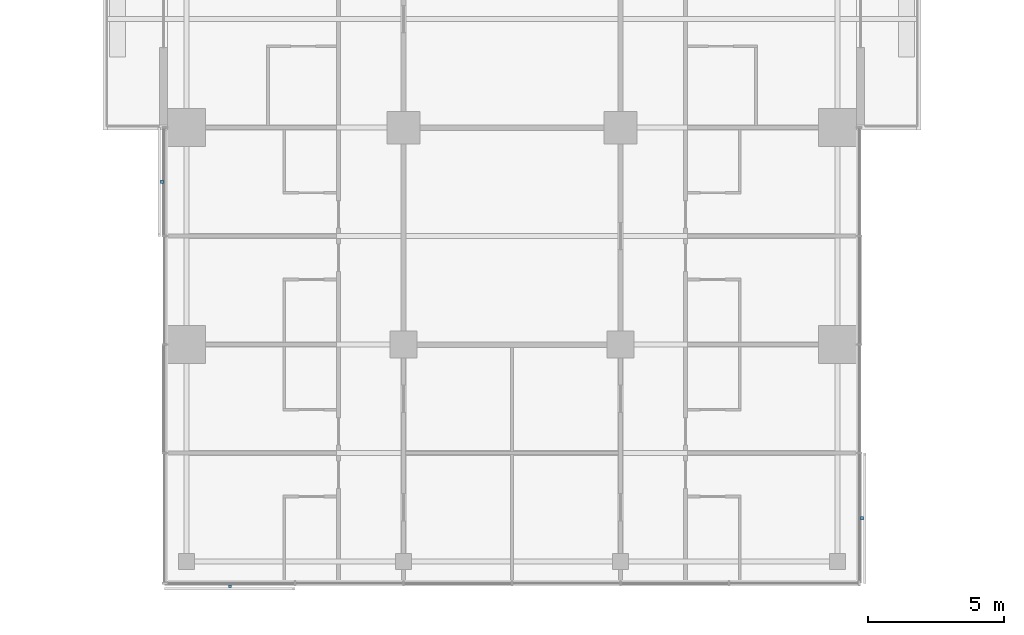
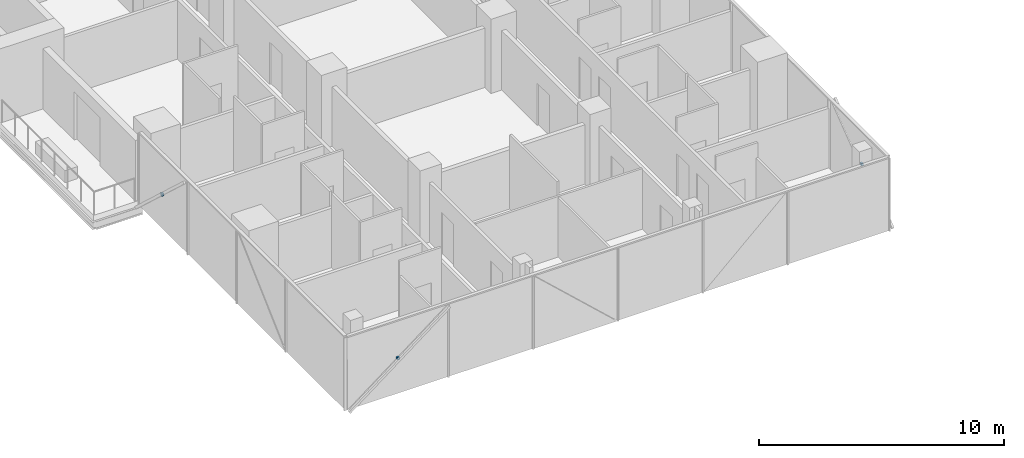
# One storey, part 25 of 29: 3 discrete accessories.
"""IFC4 building model written with IfcOpenShell, lengths in metres."""

from ifc_helpers import new_model, si_unit, direction, frame, origin, origin_2d, place, context, subcontext, project, spatial, rectangle, extrude, material, type_object, element, save


model = new_model("IFC4")

# Units and contexts
model_context = context("Model", 3, precision=1e-05, world=origin(), true_north=direction((0.0, 1.0)))
body_context = subcontext(model_context, "Body", "Model", "MODEL_VIEW")
ifc_project = project(units=[si_unit("LENGTHUNIT", "METRE"), si_unit("AREAUNIT", "SQUARE_METRE"), si_unit("VOLUMEUNIT", "CUBIC_METRE"), si_unit("PLANEANGLEUNIT", "RADIAN"), si_unit("MASSUNIT", "GRAM", prefix="KILO")], contexts=[model_context])

# Site, building, storey
site_placement = place(None, origin())
site = spatial("IfcSite", under=ifc_project, at=site_placement, CompositionType="ELEMENT")
building_placement = place(site_placement, origin())
building = spatial("IfcBuilding", under=site, at=building_placement, Name="Crosswind Convention Tower", CompositionType="ELEMENT")
storey_placement = place(building_placement, frame((0.0, 0.0, 53.5)))
storey = spatial("IfcBuildingStorey", under=building, at=storey_placement, Name="L07", CompositionType="ELEMENT", Elevation=53.5)

# Discrete accessories
ifc_material = material(Name="Stainless steel", Category="steel")
discrete_accessory_type = type_object("IfcDiscreteAccessoryType", Name="BAGUETTE BRACKET BK2", PredefinedType="BRACKET", material=ifc_material)
for number, where, z_axis, x_axis, name in (
    (1, (112.092041015625, 78.0, 1.4775390625), (0.0, 0.0, 1.0), (0.0, -1.0, 0.0), "BK2 baguette bracket"),
    (2, (114.60009765625, 63.092041015625, 1.4775390625), (0.0, 0.0, 1.0), (1.0, 0.0, 0.0), "BK2 baguette bracket"),
    (3, (137.907958984375, 65.60009765625, 1.4775390625), (0.0, 0.0, 1.0), (0.0, 1.0, 0.0), "BK2 baguette bracket"),
):
    element("IfcDiscreteAccessory", number, at=place(storey_placement, frame(where, z_axis=z_axis, x_axis=x_axis)), inside=storey, type_object=discrete_accessory_type, Name=name, PredefinedType="BRACKET", context=body_context, shape_type="SweptSolid", body=[
        extrude(rectangle(XDim=0.1201171875, YDim=0.10009765625, at=origin_2d()), origin(), (0.0, 0.0, 1.0), 0.1201171875),
    ])

save(model, "model.ifc")
